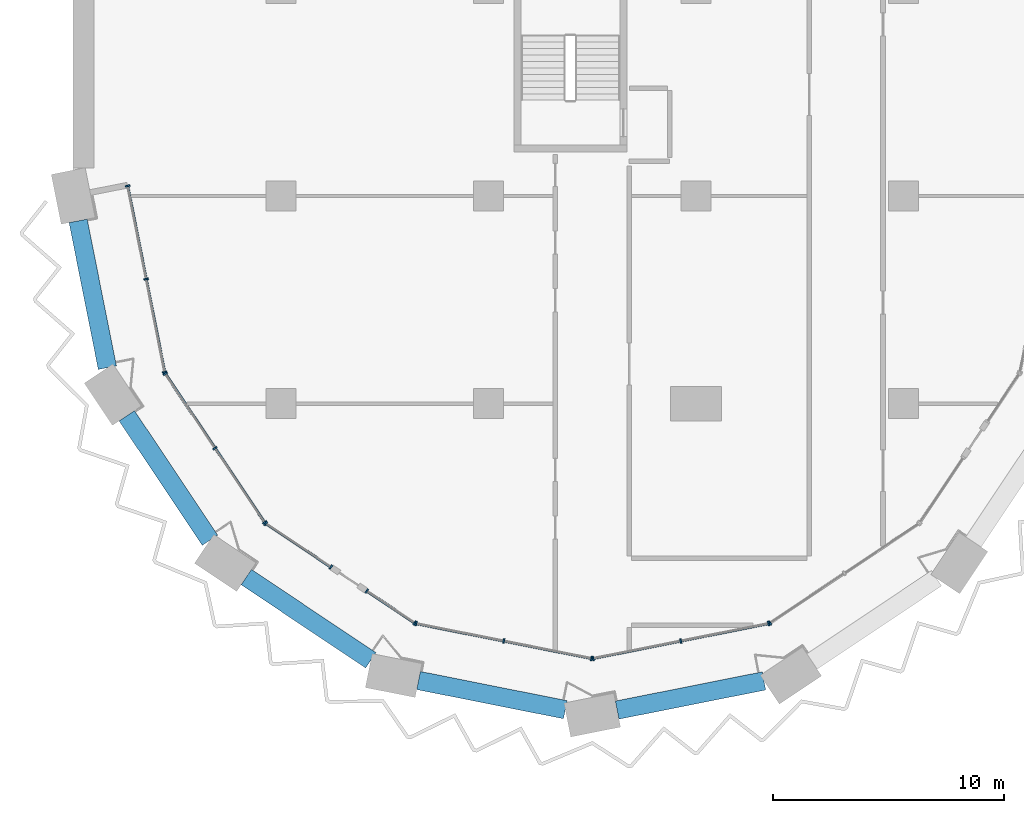
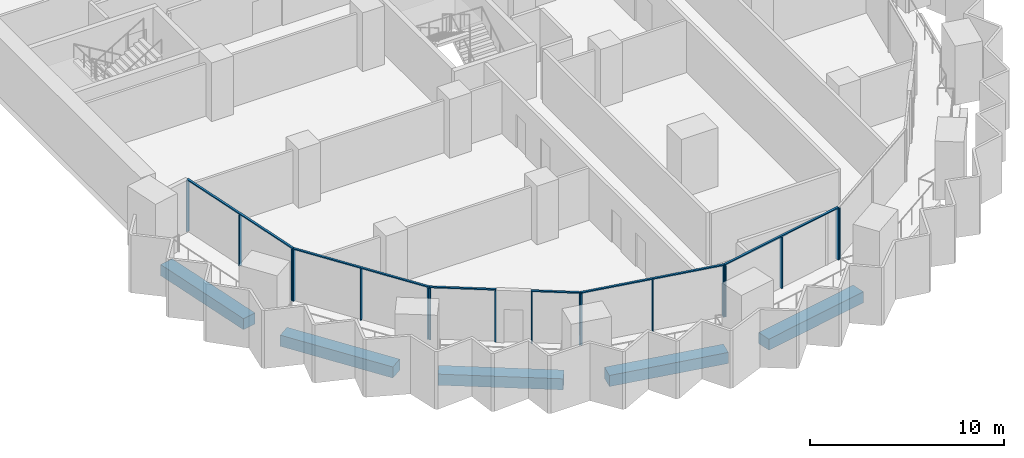
# One storey, part 2 of 23: 23 members, 5 beams, 7 elements without a shape of their own.
"""IFC4 building model written with IfcOpenShell, lengths in metres."""

from ifc_helpers import new_model, si_unit, direction, frame, origin, origin_2d, place, context, subcontext, project, spatial, rectangle, extrude, material, material_profile, profile_set, type_object, element, aggregate, save


model = new_model("IFC4")

# Units and contexts
model_context = context("Model", 3, precision=1e-05, world=origin(), true_north=direction((0.0, 1.0)))
body_context = subcontext(model_context, "Body", "Model", "MODEL_VIEW")
ifc_project = project(units=[si_unit("LENGTHUNIT", "METRE"), si_unit("AREAUNIT", "SQUARE_METRE"), si_unit("VOLUMEUNIT", "CUBIC_METRE"), si_unit("PLANEANGLEUNIT", "RADIAN"), si_unit("MASSUNIT", "GRAM", prefix="KILO")], contexts=[model_context])

# Site, building, storey
site_placement = place(None, origin())
site = spatial("IfcSite", under=ifc_project, at=site_placement, CompositionType="ELEMENT")
building_placement = place(site_placement, origin())
building = spatial("IfcBuilding", under=site, at=building_placement, Name="Hunhe Ridgeline Campus", CompositionType="ELEMENT")
storey_placement = place(building_placement, frame((0.0, 0.0, 103.300048828125)))
storey = spatial("IfcBuildingStorey", under=building, at=storey_placement, Name="L25", CompositionType="ELEMENT", Elevation=103.300048828125)

# Curtain wall, members
ifc_material_1 = material(Name="Aluminium 6063", Category="aluminium")
curtain_wall_type = type_object("IfcCurtainWallType", Name="Curtain wall CW-5", PredefinedType="NOTDEFINED", material=ifc_material_1)
curtain_wall_1_placement = place(storey_placement, origin())
curtain_wall_1 = element("IfcCurtainWall", 1, at=curtain_wall_1_placement, inside=storey, type_object=curtain_wall_type, Name="Curtain wall 01", PredefinedType="NOTDEFINED")
ifc_material_profile_1 = material_profile(ifc_material_1, rectangle(XDim=0.199951171875, YDim=0.070068359375, at=origin_2d()))
ifc_profile_set_1 = profile_set([ifc_material_profile_1], Name="Aluminium 6063")
member_type_1 = type_object("IfcMemberType", Name="CW-5 aluminium mullion", PredefinedType="MULLION", material=ifc_profile_set_1)
member_1_placement = place(storey_placement, frame((2.361572265625, 27.434326171875, 0.0), z_axis=(0.0, 0.0, 1.0), x_axis=(0.980784280831, 0.195095347137, 0.0)))
member_1 = element("IfcMember", 2, at=member_1_placement, type_object=member_type_1, Name="CW-5 mullion 1", PredefinedType="MULLION", context=body_context, shape_type="SweptSolid", body=[
    extrude(rectangle(XDim=0.199951171875, YDim=0.070068359375, at=origin_2d()), origin(), (0.0, 0.0, 1.0), 3.22998046875),
])
member_2_placement = place(storey_placement, frame((3.16455078125, 23.3974609375, 0.0), z_axis=(0.0, 0.0, 1.0), x_axis=(0.980784280831, 0.195095347137, 0.0)))
member_2 = element("IfcMember", 3, at=member_2_placement, type_object=member_type_1, Name="CW-5 mullion 2", PredefinedType="MULLION", context=body_context, shape_type="SweptSolid", body=[
    extrude(rectangle(XDim=0.199951171875, YDim=0.070068359375, at=origin_2d()), origin(), (0.0, 0.0, 1.0), 3.22998046875),
])
member_3_placement = place(storey_placement, frame((3.967529296875, 19.36083984375, 0.0), z_axis=(0.0, 0.0, 1.0), x_axis=(0.980784280831, 0.195095347137, 0.0)))
member_3 = element("IfcMember", 4, at=member_3_placement, type_object=member_type_1, Name="CW-5 mullion 3", PredefinedType="MULLION", context=body_context, shape_type="SweptSolid", body=[
    extrude(rectangle(XDim=0.199951171875, YDim=0.070068359375, at=origin_2d()), origin(), (0.0, 0.0, 1.0), 3.22998046875),
])

curtain_wall_2_placement = place(storey_placement, origin())
curtain_wall_2 = element("IfcCurtainWall", 5, at=curtain_wall_2_placement, inside=storey, type_object=curtain_wall_type, Name="Curtain wall 02", PredefinedType="NOTDEFINED")
member_4_placement = place(storey_placement, frame((3.993896484375, 19.29736328125, 0.0), z_axis=(0.0, 0.0, 1.0), x_axis=(0.831469584522, 0.555570274596, 0.0)))
member_4 = element("IfcMember", 6, at=member_4_placement, type_object=member_type_1, Name="CW-5 mullion 1", PredefinedType="MULLION", context=body_context, shape_type="SweptSolid", body=[
    extrude(rectangle(XDim=0.199951171875, YDim=0.070068359375, at=origin_2d()), origin(), (0.0, 0.0, 1.0), 3.22998046875),
])
member_5_placement = place(storey_placement, frame((6.147705078125, 16.07373046875, 0.0), z_axis=(0.0, 0.0, 1.0), x_axis=(0.831469584522, 0.555570274596, 0.0)))
member_5 = element("IfcMember", 7, at=member_5_placement, type_object=member_type_1, Name="CW-5 mullion 2", PredefinedType="MULLION", context=body_context, shape_type="SweptSolid", body=[
    extrude(rectangle(XDim=0.199951171875, YDim=0.070068359375, at=origin_2d()), origin(), (0.0, 0.0, 1.0), 3.22998046875),
])
member_6_placement = place(storey_placement, frame((8.3017578125, 12.850341796875, 0.0), z_axis=(0.0, 0.0, 1.0), x_axis=(0.831469584522, 0.555570274596, 0.0)))
member_6 = element("IfcMember", 8, at=member_6_placement, type_object=member_type_1, Name="CW-5 mullion 3", PredefinedType="MULLION", context=body_context, shape_type="SweptSolid", body=[
    extrude(rectangle(XDim=0.199951171875, YDim=0.070068359375, at=origin_2d()), origin(), (0.0, 0.0, 1.0), 3.22998046875),
])

curtain_wall_3_placement = place(storey_placement, origin())
curtain_wall_3 = element("IfcCurtainWall", 9, at=curtain_wall_3_placement, inside=storey, type_object=curtain_wall_type, Name="Curtain wall 03", PredefinedType="NOTDEFINED")
member_7_placement = place(storey_placement, frame((8.350341796875, 12.8017578125, 0.0), z_axis=(0.0, 0.0, 1.0), x_axis=(0.555570257501, 0.831469595944, 0.0)))
member_7 = element("IfcMember", 10, at=member_7_placement, type_object=member_type_1, Name="CW-5 mullion 1", PredefinedType="MULLION", context=body_context, shape_type="SweptSolid", body=[
    extrude(rectangle(XDim=0.199951171875, YDim=0.070068359375, at=origin_2d()), origin(), (0.0, 0.0, 1.0), 3.22998046875),
])
member_8_placement = place(storey_placement, frame((11.17041015625, 10.917236328125, 0.0), z_axis=(0.0, 0.0, 1.0), x_axis=(0.555570257501, 0.831469595944, 0.0)))
member_8 = element("IfcMember", 11, at=member_8_placement, type_object=member_type_1, Name="CW-5 mullion 2", PredefinedType="MULLION", context=body_context, shape_type="SweptSolid", body=[
    extrude(rectangle(XDim=0.199951171875, YDim=0.070068359375, at=origin_2d()), origin(), (0.0, 0.0, 1.0), 3.22998046875),
])

curtain_wall_4_placement = place(storey_placement, origin())
curtain_wall_4 = element("IfcCurtainWall", 12, at=curtain_wall_4_placement, inside=storey, type_object=curtain_wall_type, Name="Curtain wall 04", PredefinedType="NOTDEFINED")
member_9_placement = place(storey_placement, frame((12.725341796875, 9.87841796875, 0.0), z_axis=(0.0, 0.0, 1.0), x_axis=(0.555570385598, 0.831469510353, 0.0)))
member_9 = element("IfcMember", 13, at=member_9_placement, type_object=member_type_1, Name="CW-5 mullion 1", PredefinedType="MULLION", context=body_context, shape_type="SweptSolid", body=[
    extrude(rectangle(XDim=0.199951171875, YDim=0.070068359375, at=origin_2d()), origin(), (0.0, 0.0, 1.0), 3.22998046875),
])
member_10_placement = place(storey_placement, frame((14.79736328125, 8.493896484375, 0.0), z_axis=(0.0, 0.0, 1.0), x_axis=(0.555570385598, 0.831469510353, 0.0)))
member_10 = element("IfcMember", 14, at=member_10_placement, type_object=member_type_1, Name="CW-5 mullion 2", PredefinedType="MULLION", context=body_context, shape_type="SweptSolid", body=[
    extrude(rectangle(XDim=0.199951171875, YDim=0.070068359375, at=origin_2d()), origin(), (0.0, 0.0, 1.0), 3.22998046875),
])

curtain_wall_5_placement = place(storey_placement, origin())
curtain_wall_5 = element("IfcCurtainWall", 15, at=curtain_wall_5_placement, inside=storey, type_object=curtain_wall_type, Name="Curtain wall 05", PredefinedType="NOTDEFINED")
member_11_placement = place(storey_placement, frame((14.86083984375, 8.467529296875, 0.0), z_axis=(0.0, 0.0, 1.0), x_axis=(0.195090347539, 0.980785275326, 0.0)))
member_11 = element("IfcMember", 16, at=member_11_placement, type_object=member_type_1, Name="CW-5 mullion 1", PredefinedType="MULLION", context=body_context, shape_type="SweptSolid", body=[
    extrude(rectangle(XDim=0.199951171875, YDim=0.070068359375, at=origin_2d()), origin(), (0.0, 0.0, 1.0), 3.22998046875),
])
member_12_placement = place(storey_placement, frame((18.663330078125, 7.711181640625, 0.0), z_axis=(0.0, 0.0, 1.0), x_axis=(0.195090347539, 0.980785275326, 0.0)))
member_12 = element("IfcMember", 17, at=member_12_placement, type_object=member_type_1, Name="CW-5 mullion 2", PredefinedType="MULLION", context=body_context, shape_type="SweptSolid", body=[
    extrude(rectangle(XDim=0.199951171875, YDim=0.070068359375, at=origin_2d()), origin(), (0.0, 0.0, 1.0), 3.22998046875),
])
member_13_placement = place(storey_placement, frame((22.465576171875, 6.954833984375, 0.0), z_axis=(0.0, 0.0, 1.0), x_axis=(0.195090347539, 0.980785275326, 0.0)))
member_13 = element("IfcMember", 18, at=member_13_placement, type_object=member_type_1, Name="CW-5 mullion 3", PredefinedType="MULLION", context=body_context, shape_type="SweptSolid", body=[
    extrude(rectangle(XDim=0.199951171875, YDim=0.070068359375, at=origin_2d()), origin(), (0.0, 0.0, 1.0), 3.22998046875),
])

curtain_wall_6_placement = place(storey_placement, origin())
curtain_wall_6 = element("IfcCurtainWall", 19, at=curtain_wall_6_placement, inside=storey, type_object=curtain_wall_type, Name="Curtain wall 06", PredefinedType="NOTDEFINED")
member_14_placement = place(storey_placement, frame((22.534423828125, 6.954833984375, 0.0), z_axis=(0.0, 0.0, 1.0), x_axis=(-0.195090347539, 0.980785275326, 0.0)))
member_14 = element("IfcMember", 20, at=member_14_placement, type_object=member_type_1, Name="CW-5 mullion 1", PredefinedType="MULLION", context=body_context, shape_type="SweptSolid", body=[
    extrude(rectangle(XDim=0.199951171875, YDim=0.070068359375, at=origin_2d()), origin(), (0.0, 0.0, 1.0), 3.22998046875),
])
member_15_placement = place(storey_placement, frame((26.336669921875, 7.711181640625, 0.0), z_axis=(0.0, 0.0, 1.0), x_axis=(-0.195090347539, 0.980785275326, 0.0)))
member_15 = element("IfcMember", 21, at=member_15_placement, type_object=member_type_1, Name="CW-5 mullion 2", PredefinedType="MULLION", context=body_context, shape_type="SweptSolid", body=[
    extrude(rectangle(XDim=0.199951171875, YDim=0.070068359375, at=origin_2d()), origin(), (0.0, 0.0, 1.0), 3.22998046875),
])
member_16_placement = place(storey_placement, frame((30.13916015625, 8.467529296875, 0.0), z_axis=(0.0, 0.0, 1.0), x_axis=(-0.195090347539, 0.980785275326, 0.0)))
member_16 = element("IfcMember", 22, at=member_16_placement, type_object=member_type_1, Name="CW-5 mullion 3", PredefinedType="MULLION", context=body_context, shape_type="SweptSolid", body=[
    extrude(rectangle(XDim=0.199951171875, YDim=0.070068359375, at=origin_2d()), origin(), (0.0, 0.0, 1.0), 3.22998046875),
])

# Curtain wall, member
curtain_wall_7_placement = place(storey_placement, origin())
curtain_wall_7 = element("IfcCurtainWall", 23, at=curtain_wall_7_placement, inside=storey, type_object=curtain_wall_type, Name="Curtain wall 07", PredefinedType="NOTDEFINED")
member_17_placement = place(storey_placement, frame((30.20263671875, 8.493896484375, 0.0), z_axis=(0.0, 0.0, 1.0), x_axis=(-0.555570274596, 0.831469584522, 0.0)))
member_17 = element("IfcMember", 24, at=member_17_placement, type_object=member_type_1, Name="CW-5 mullion 1", PredefinedType="MULLION", context=body_context, shape_type="SweptSolid", body=[
    extrude(rectangle(XDim=0.199951171875, YDim=0.070068359375, at=origin_2d()), origin(), (0.0, 0.0, 1.0), 3.22998046875),
])
aggregate(curtain_wall_7, [member_17])

# Member
ifc_material_profile_2 = material_profile(ifc_material_1, rectangle(XDim=0.1201171875, YDim=0.070068359375, at=origin_2d()))
ifc_profile_set_2 = profile_set([ifc_material_profile_2], Name="Aluminium 6063")
member_type_2 = type_object("IfcMemberType", Name="CW-5 aluminium transom", PredefinedType="USERDEFINED", material=ifc_profile_set_2)
member_18_placement = place(storey_placement, frame((2.354736328125, 27.46875, 3.264892578125), z_axis=(0.195092405068, -0.980784866056, 0.0), x_axis=(0.980784866056, 0.195092405068, 0.0)))
member_18 = element("IfcMember", 25, at=member_18_placement, type_object=member_type_2, Name="CW-5 transom 1", ObjectType="TRANSOM", PredefinedType="USERDEFINED", context=body_context, shape_type="SweptSolid", body=[
    extrude(rectangle(XDim=0.1201171875, YDim=0.070068359375, at=origin_2d()), origin(), (0.0, 0.0, 1.0), 8.3017578125),
])

aggregate(curtain_wall_1, [member_18, member_1, member_2, member_3])

member_19_placement = place(storey_placement, frame((3.974365234375, 19.326416015625, 3.264892578125), z_axis=(0.5555640203, -0.831473763475, 0.0), x_axis=(0.831473763475, 0.5555640203, 0.0)))
member_19 = element("IfcMember", 26, at=member_19_placement, type_object=member_type_2, Name="CW-5 transom 1", ObjectType="TRANSOM", PredefinedType="USERDEFINED", context=body_context, shape_type="SweptSolid", body=[
    extrude(rectangle(XDim=0.1201171875, YDim=0.070068359375, at=origin_2d()), origin(), (0.0, 0.0, 1.0), 7.823974609375),
])

aggregate(curtain_wall_2, [member_19, member_4, member_5, member_6])

member_20_placement = place(storey_placement, frame((8.321044921875, 12.821044921875, 3.264892578125), z_axis=(0.831485714606, -0.555546133463, 0.0), x_axis=(0.555546133463, 0.831485714606, 0.0)))
member_20 = element("IfcMember", 27, at=member_20_placement, type_object=member_type_2, Name="CW-5 transom 1", ObjectType="TRANSOM", PredefinedType="USERDEFINED", context=body_context, shape_type="SweptSolid", body=[
    extrude(rectangle(XDim=0.1201171875, YDim=0.070068359375, at=origin_2d()), origin(), (0.0, 0.0, 1.0), 3.462158203125),
])

aggregate(curtain_wall_3, [member_20, member_7, member_8])

member_21_placement = place(storey_placement, frame((12.6962890625, 9.897705078125, 3.264892578125), z_axis=(0.831463388334, -0.555579547735, 0.0), x_axis=(0.555579547735, 0.831463388334, 0.0)))
member_21 = element("IfcMember", 28, at=member_21_placement, type_object=member_type_2, Name="CW-5 transom 1", ObjectType="TRANSOM", PredefinedType="USERDEFINED", context=body_context, shape_type="SweptSolid", body=[
    extrude(rectangle(XDim=0.1201171875, YDim=0.070068359375, at=origin_2d()), origin(), (0.0, 0.0, 1.0), 2.56201171875),
])

aggregate(curtain_wall_4, [member_21, member_9, member_10])

member_22_placement = place(storey_placement, frame((14.826416015625, 8.474365234375, 3.264892578125), z_axis=(0.980785367689, -0.195089883198, 0.0), x_axis=(0.195089883198, 0.980785367689, 0.0)))
member_22 = element("IfcMember", 29, at=member_22_placement, type_object=member_type_2, Name="CW-5 transom 1", ObjectType="TRANSOM", PredefinedType="USERDEFINED", context=body_context, shape_type="SweptSolid", body=[
    extrude(rectangle(XDim=0.1201171875, YDim=0.070068359375, at=origin_2d()), origin(), (0.0, 0.0, 1.0), 7.823974609375),
])

aggregate(curtain_wall_5, [member_22, member_11, member_12, member_13])

member_23_placement = place(storey_placement, frame((22.5, 6.947998046875, 3.264892578125), z_axis=(0.980785367689, 0.195089883198, 0.0), x_axis=(-0.195089883198, 0.980785367689, 0.0)))
member_23 = element("IfcMember", 30, at=member_23_placement, type_object=member_type_2, Name="CW-5 transom 1", ObjectType="TRANSOM", PredefinedType="USERDEFINED", context=body_context, shape_type="SweptSolid", body=[
    extrude(rectangle(XDim=0.1201171875, YDim=0.070068359375, at=origin_2d()), origin(), (0.0, 0.0, 1.0), 7.823974609375),
])

aggregate(curtain_wall_6, [member_23, member_14, member_15, member_16])

# Beams
ifc_material_2 = material(Name="Concrete C60", Category="concrete")
ifc_material_profile_3 = material_profile(ifc_material_2, rectangle(XDim=0.800048828125, YDim=0.699951171875, at=origin_2d()))
ifc_profile_set_3 = profile_set([ifc_material_profile_3], Name="Concrete C60")
beam_type = type_object("IfcBeamType", Name="RC spandrel beam 800x700 Concrete C60", PredefinedType="SPANDREL", material=ifc_profile_set_3)
for number, where, z_axis, x_axis, name in (
    (31, (0.214599609375, 25.921142578125, -0.60009765625), (0.195095759636, -0.980784198778, 0.0), (0.980784198778, 0.195095759636, 0.0), "Spandrel beam B1-1 L25"),
    (32, (2.32373046875, 17.47509765625, -0.60009765625), (0.555585540178, -0.831459384183, 0.0), (0.831459384183, 0.555585540178, 0.0), "Spandrel beam B1-2 L25"),
    (33, (7.504638671875, 10.47900390625, -0.60009765625), (0.831476765351, -0.555559527577, 0.0), (0.555559527577, 0.831476765351, 0.0), "Spandrel beam B1-3 L25"),
    (34, (14.968505859375, 5.998046875, -0.60009765625), (0.980784198778, -0.195095759636, 0.0), (0.195095759636, 0.980784198778, 0.0), "Spandrel beam B1-4 L25"),
    (35, (23.578857421875, 4.714599609375, -0.60009765625), (0.980784198778, 0.195095759636, 0.0), (-0.195095759636, 0.980784198778, 0.0), "Spandrel beam B1-5 L25"),
):
    element("IfcBeam", number, at=place(storey_placement, frame(where, z_axis=z_axis, x_axis=x_axis)), inside=storey, type_object=beam_type, Name=name, PredefinedType="SPANDREL", context=body_context, shape_type="SweptSolid", body=[
        extrude(rectangle(XDim=0.800048828125, YDim=0.699951171875, at=origin_2d()), origin(), (0.0, 0.0, 1.0), 6.488525390625),
    ])

save(model, "model.ifc")
